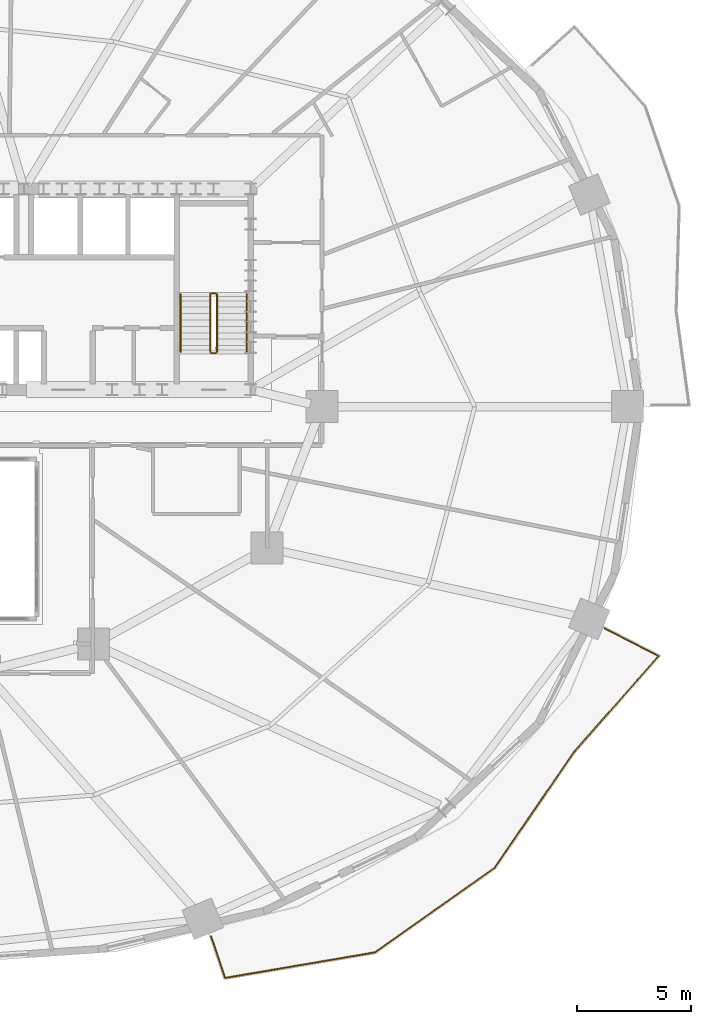
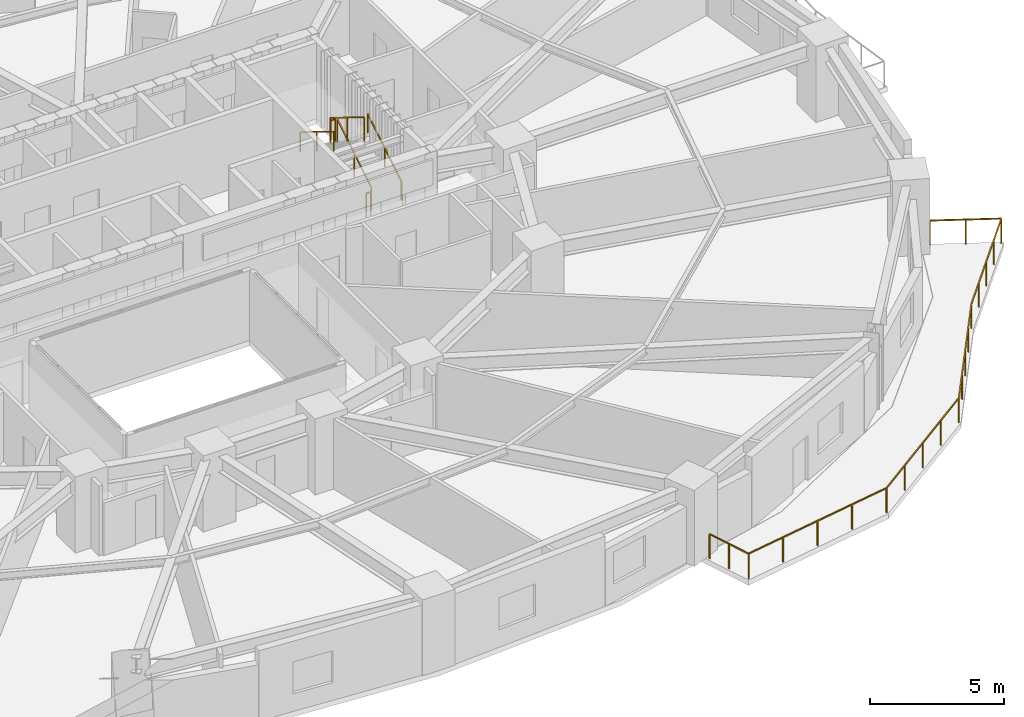
# One storey, part 15 of 16: 7 railings.
"""IFC4 building model written with IfcOpenShell, lengths in metres."""

from ifc_helpers import new_model, si_unit, direction, frame, origin, origin_2d, place, context, subcontext, project, spatial, rectangle, extrude, material, type_object, element, save


model = new_model("IFC4")

# Units and contexts
model_context = context("Model", 3, precision=1e-05, world=origin(), true_north=direction((0.0, 1.0)))
body_context = subcontext(model_context, "Body", "Model", "MODEL_VIEW")
ifc_project = project(units=[si_unit("LENGTHUNIT", "METRE"), si_unit("AREAUNIT", "SQUARE_METRE"), si_unit("VOLUMEUNIT", "CUBIC_METRE"), si_unit("PLANEANGLEUNIT", "RADIAN"), si_unit("MASSUNIT", "GRAM", prefix="KILO")], contexts=[model_context])

# Site, building, storey
site_placement = place(None, origin())
site = spatial("IfcSite", under=ifc_project, at=site_placement, CompositionType="ELEMENT")
building_placement = place(site_placement, origin())
building = spatial("IfcBuilding", under=site, at=building_placement, Name="Haldorwick Loom Tower", CompositionType="ELEMENT")
storey_placement = place(building_placement, frame((0.0, 0.0, 68.85009765625)))
storey = spatial("IfcBuildingStorey", under=building, at=storey_placement, Name="L18", CompositionType="ELEMENT", Elevation=68.85009765625)

# Railings
ifc_material_1 = material(Name="Galvanized Steel CSA G40.21 350W", Category="steel")
railing_type_1 = type_object("IfcRailingType", Name="ARC-RLG-BAL115", PredefinedType="BALUSTRADE", material=ifc_material_1)
railing_1_placement = place(storey_placement, frame((65.593017578125, 16.2890625, 0.0)))
element("IfcRailing", 1, at=railing_1_placement, inside=storey, type_object=railing_type_1, Name="L18 Outdoor Terrace Guardrail SLB-L18-BAL_SE-1", PredefinedType="BALUSTRADE", context=body_context, shape_type="SweptSolid", body=[
    extrude(rectangle(XDim=0.048095703125, YDim=0.048095703125, at=origin_2d()), frame((0.0, 0.0, 1.1259765625), z_axis=(0.889147904844, -0.457619933254, 0.0), x_axis=(0.457619933254, 0.889147904844, 0.0)), (0.0, 0.0, 1.0), 2.657470703125),
    extrude(rectangle(XDim=0.048095703125, YDim=0.048095703125, at=origin_2d()), frame((2.36279296875, -1.216064453125, 1.1259765625), z_axis=(-0.661217967964, -0.750193840845, 0.0), x_axis=(0.750193840845, -0.661217967964, 0.0)), (0.0, 0.0, 1.0), 5.622314453125),
    extrude(rectangle(XDim=0.048095703125, YDim=0.048095703125, at=origin_2d()), frame((-1.354736328125, -5.433837890625, 1.1259765625), z_axis=(-0.615644041972, -0.788024373725, 0.0), x_axis=(0.788024373725, -0.615644041972, 0.0)), (0.0, 0.0, 1.0), 0.010009765625),
    extrude(rectangle(XDim=0.048095703125, YDim=0.048095703125, at=origin_2d()), frame((-1.36083984375, -5.441650390625, 1.1259765625), z_axis=(-0.564811281477, -0.82522010174, 0.0), x_axis=(0.82522010174, -0.564811281477, 0.0)), (0.0, 0.0, 1.0), 6.115478515625),
    extrude(rectangle(XDim=0.048095703125, YDim=0.048095703125, at=origin_2d()), frame((-4.81494140625, -10.48828125, 1.1259765625), z_axis=(-0.816259372483, -0.577685586486, 0.0), x_axis=(0.577685586486, -0.816259372483, 0.0)), (0.0, 0.0, 1.0), 6.4326171875),
    extrude(rectangle(XDim=0.048095703125, YDim=0.048095703125, at=origin_2d()), frame((-10.065673828125, -14.204345703125, 1.1259765625), z_axis=(-0.985747982985, -0.168228755094, 0.0), x_axis=(0.168228755094, -0.985747982985, 0.0)), (0.0, 0.0, 1.0), 6.66552734375),
    extrude(rectangle(XDim=0.048095703125, YDim=0.048095703125, at=origin_2d()), frame((-16.63623046875, -15.32568359375, 1.1259765625), z_axis=(-0.320435584101, 0.947270308012, 0.0), x_axis=(-0.947270308012, -0.320435584101, 0.0)), (0.0, 0.0, 1.0), 1.9306640625),
    extrude(rectangle(XDim=0.0419921875, YDim=0.0419921875, at=origin_2d()), origin(), (0.0, 0.0, 1.0), 1.101806640625),
    extrude(rectangle(XDim=0.0419921875, YDim=0.0419921875, at=origin_2d()), frame((1.181396484375, -0.60791015625, 0.0)), (0.0, 0.0, 1.0), 1.101806640625),
    extrude(rectangle(XDim=0.0419921875, YDim=0.0419921875, at=origin_2d()), frame((2.36279296875, -1.216064453125, 0.0)), (0.0, 0.0, 1.0), 1.101806640625),
    extrude(rectangle(XDim=0.0419921875, YDim=0.0419921875, at=origin_2d()), frame((1.433349609375, -2.2705078125, 0.0)), (0.0, 0.0, 1.0), 1.101806640625),
    extrude(rectangle(XDim=0.0419921875, YDim=0.0419921875, at=origin_2d()), frame((0.50390625, -3.324951171875, 0.0)), (0.0, 0.0, 1.0), 1.101806640625),
    extrude(rectangle(XDim=0.0419921875, YDim=0.0419921875, at=origin_2d()), frame((-0.42529296875, -4.37939453125, 0.0)), (0.0, 0.0, 1.0), 1.101806640625),
    extrude(rectangle(XDim=0.0419921875, YDim=0.0419921875, at=origin_2d()), frame((-1.354736328125, -5.433837890625, 0.0)), (0.0, 0.0, 1.0), 1.101806640625),
    extrude(rectangle(XDim=0.0419921875, YDim=0.0419921875, at=origin_2d()), frame((-2.224365234375, -6.703369140625, 0.0)), (0.0, 0.0, 1.0), 1.101806640625),
    extrude(rectangle(XDim=0.0419921875, YDim=0.0419921875, at=origin_2d()), frame((-3.087890625, -7.96484375, 0.0)), (0.0, 0.0, 1.0), 1.101806640625),
    extrude(rectangle(XDim=0.0419921875, YDim=0.0419921875, at=origin_2d()), frame((-3.951416015625, -9.2265625, 0.0)), (0.0, 0.0, 1.0), 1.101806640625),
    extrude(rectangle(XDim=0.0419921875, YDim=0.0419921875, at=origin_2d()), frame((-4.81494140625, -10.48828125, 0.0)), (0.0, 0.0, 1.0), 1.101806640625),
    extrude(rectangle(XDim=0.0419921875, YDim=0.0419921875, at=origin_2d()), frame((-6.127685546875, -11.417236328125, 0.0)), (0.0, 0.0, 1.0), 1.101806640625),
    extrude(rectangle(XDim=0.0419921875, YDim=0.0419921875, at=origin_2d()), frame((-7.4404296875, -12.34619140625, 0.0)), (0.0, 0.0, 1.0), 1.101806640625),
    extrude(rectangle(XDim=0.0419921875, YDim=0.0419921875, at=origin_2d()), frame((-8.7529296875, -13.275390625, 0.0)), (0.0, 0.0, 1.0), 1.101806640625),
    extrude(rectangle(XDim=0.0419921875, YDim=0.0419921875, at=origin_2d()), frame((-10.065673828125, -14.204345703125, 0.0)), (0.0, 0.0, 1.0), 1.101806640625),
    extrude(rectangle(XDim=0.0419921875, YDim=0.0419921875, at=origin_2d()), frame((-11.708251953125, -14.484619140625, 0.0)), (0.0, 0.0, 1.0), 1.101806640625),
    extrude(rectangle(XDim=0.0419921875, YDim=0.0419921875, at=origin_2d()), frame((-13.35107421875, -14.76513671875, 0.0)), (0.0, 0.0, 1.0), 1.101806640625),
    extrude(rectangle(XDim=0.0419921875, YDim=0.0419921875, at=origin_2d()), frame((-14.99365234375, -15.04541015625, 0.0)), (0.0, 0.0, 1.0), 1.101806640625),
    extrude(rectangle(XDim=0.0419921875, YDim=0.0419921875, at=origin_2d()), frame((-16.63623046875, -15.32568359375, 0.0)), (0.0, 0.0, 1.0), 1.101806640625),
    extrude(rectangle(XDim=0.0419921875, YDim=0.0419921875, at=origin_2d()), frame((-16.945556640625, -14.4111328125, 0.0)), (0.0, 0.0, 1.0), 1.101806640625),
    extrude(rectangle(XDim=0.0419921875, YDim=0.0419921875, at=origin_2d()), frame((-17.2548828125, -13.496826171875, 0.0)), (0.0, 0.0, 1.0), 1.101806640625),
])
ifc_material_2 = material(Name="Steel CSA G40.21 350W", Category="steel")
railing_type_2 = type_object("IfcRailingType", Name="ARC-RLG-GUARD112", PredefinedType="GUARDRAIL", material=ifc_material_2)
railing_2_placement = place(storey_placement, frame((48.60009765625, 28.39990234375, 0.17236328125)))
element("IfcRailing", 2, at=railing_2_placement, inside=storey, type_object=railing_type_2, Name="L18 ST-02 stair guard 1", PredefinedType="GUARDRAIL", context=body_context, shape_type="SweptSolid", body=[
    extrude(rectangle(XDim=0.048095703125, YDim=0.048095703125, at=origin_2d()), frame((0.0, 0.0, 1.076171875), z_axis=(0.0, 0.851400495292, 0.524516154772), x_axis=(-1.0, 0.0, 0.0)), (0.0, 0.0, 1.0), 2.9599609375),
    extrude(rectangle(XDim=0.0419921875, YDim=0.0419921875, at=origin_2d()), origin(), (0.0, 0.0, 1.0), 1.052001953125),
    extrude(rectangle(XDim=0.0419921875, YDim=0.0419921875, at=origin_2d()), frame((0.0, 1.260009765625, 0.7763671875)), (0.0, 0.0, 1.0), 1.052001953125),
    extrude(rectangle(XDim=0.0419921875, YDim=0.0419921875, at=origin_2d()), frame((0.0, 2.52001953125, 1.552490234375)), (0.0, 0.0, 1.0), 1.052001953125),
])
railing_3_placement = place(storey_placement, frame((48.550048828125, 30.969970703125, 1.724853515625)))
element("IfcRailing", 3, at=railing_3_placement, inside=storey, type_object=railing_type_2, Name="L18 ST-02 stair guard 2", PredefinedType="GUARDRAIL", context=body_context, shape_type="SweptSolid", body=[
    extrude(rectangle(XDim=0.048095703125, YDim=0.048095703125, at=origin_2d()), frame((0.0, 0.0, 1.076171875), z_axis=(-1.0, 0.0, 0.0), x_axis=(0.0, -1.0, 0.0)), (0.0, 0.0, 1.0), 0.199951171875),
    extrude(rectangle(XDim=0.0419921875, YDim=0.0419921875, at=origin_2d()), origin(), (0.0, 0.0, 1.0), 1.052001953125),
    extrude(rectangle(XDim=0.0419921875, YDim=0.0419921875, at=origin_2d()), frame((-0.199951171875, 0.0, 0.0)), (0.0, 0.0, 1.0), 1.052001953125),
])
railing_4_placement = place(storey_placement, frame((48.300048828125, 30.919921875, 1.8974609375)))
element("IfcRailing", 4, at=railing_4_placement, inside=storey, type_object=railing_type_2, Name="L18 ST-02 stair guard 3", PredefinedType="GUARDRAIL", context=body_context, shape_type="SweptSolid", body=[
    extrude(rectangle(XDim=0.048095703125, YDim=0.048095703125, at=origin_2d()), frame((0.0, 0.0, 1.076171875), z_axis=(0.0, -0.851400495292, 0.524516154772), x_axis=(1.0, 0.0, 0.0)), (0.0, 0.0, 1.0), 2.9599609375),
    extrude(rectangle(XDim=0.0419921875, YDim=0.0419921875, at=origin_2d()), origin(), (0.0, 0.0, 1.0), 1.052001953125),
    extrude(rectangle(XDim=0.0419921875, YDim=0.0419921875, at=origin_2d()), frame((0.0, -1.260009765625, 0.7763671875)), (0.0, 0.0, 1.0), 1.052001953125),
    extrude(rectangle(XDim=0.0419921875, YDim=0.0419921875, at=origin_2d()), frame((0.0, -2.52001953125, 1.552490234375)), (0.0, 0.0, 1.0), 1.052001953125),
])
railing_5_placement = place(storey_placement, frame((48.550048828125, 28.35009765625, 0.0)))
element("IfcRailing", 5, at=railing_5_placement, inside=storey, type_object=railing_type_2, Name="L18 ST-02 stair guard 4", PredefinedType="GUARDRAIL", context=body_context, shape_type="SweptSolid", body=[
    extrude(rectangle(XDim=0.048095703125, YDim=0.048095703125, at=origin_2d()), frame((0.0, 0.0, 1.076171875), z_axis=(-1.0, 0.0, 0.0), x_axis=(0.0, -1.0, 0.0)), (0.0, 0.0, 1.0), 0.199951171875),
    extrude(rectangle(XDim=0.0419921875, YDim=0.0419921875, at=origin_2d()), origin(), (0.0, 0.0, 1.0), 1.052001953125),
    extrude(rectangle(XDim=0.0419921875, YDim=0.0419921875, at=origin_2d()), frame((-0.199951171875, 0.0, 0.0)), (0.0, 0.0, 1.0), 1.052001953125),
])
railing_type_3 = type_object("IfcRailingType", Name="ARC-RLG-HAND092", PredefinedType="HANDRAIL", material=ifc_material_2)
railing_6_placement = place(storey_placement, frame((49.89990234375, 28.39990234375, 0.17236328125)))
element("IfcRailing", 6, at=railing_6_placement, inside=storey, type_object=railing_type_3, Name="L18 ST-02 stair handrail 1", PredefinedType="HANDRAIL", context=body_context, shape_type="SweptSolid", body=[
    extrude(rectangle(XDim=0.048095703125, YDim=0.048095703125, at=origin_2d()), frame((0.0, 0.0, 0.8759765625), z_axis=(0.0, 0.851400495292, 0.524516154772), x_axis=(-1.0, 0.0, 0.0)), (0.0, 0.0, 1.0), 2.9599609375),
    extrude(rectangle(XDim=0.0419921875, YDim=0.0419921875, at=origin_2d()), origin(), (0.0, 0.0, 1.0), 0.851806640625),
    extrude(rectangle(XDim=0.0419921875, YDim=0.0419921875, at=origin_2d()), frame((0.0, 1.260009765625, 0.7763671875)), (0.0, 0.0, 1.0), 0.851806640625),
    extrude(rectangle(XDim=0.0419921875, YDim=0.0419921875, at=origin_2d()), frame((0.0, 2.52001953125, 1.552490234375)), (0.0, 0.0, 1.0), 0.851806640625),
])
railing_7_placement = place(storey_placement, frame((47.0, 30.919921875, 1.8974609375)))
element("IfcRailing", 7, at=railing_7_placement, inside=storey, type_object=railing_type_3, Name="L18 ST-02 stair handrail 2", PredefinedType="HANDRAIL", context=body_context, shape_type="SweptSolid", body=[
    extrude(rectangle(XDim=0.048095703125, YDim=0.048095703125, at=origin_2d()), frame((0.0, 0.0, 0.8759765625), z_axis=(0.0, -0.851400495292, 0.524516154772), x_axis=(1.0, 0.0, 0.0)), (0.0, 0.0, 1.0), 2.9599609375),
    extrude(rectangle(XDim=0.0419921875, YDim=0.0419921875, at=origin_2d()), origin(), (0.0, 0.0, 1.0), 0.851806640625),
    extrude(rectangle(XDim=0.0419921875, YDim=0.0419921875, at=origin_2d()), frame((0.0, -1.260009765625, 0.7763671875)), (0.0, 0.0, 1.0), 0.851806640625),
    extrude(rectangle(XDim=0.0419921875, YDim=0.0419921875, at=origin_2d()), frame((0.0, -2.52001953125, 1.552490234375)), (0.0, 0.0, 1.0), 0.851806640625),
])

save(model, "model.ifc")
